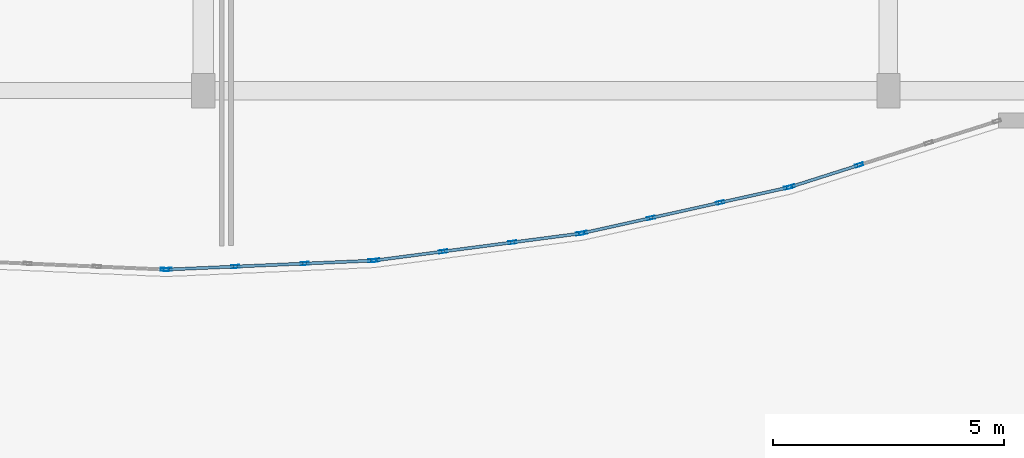
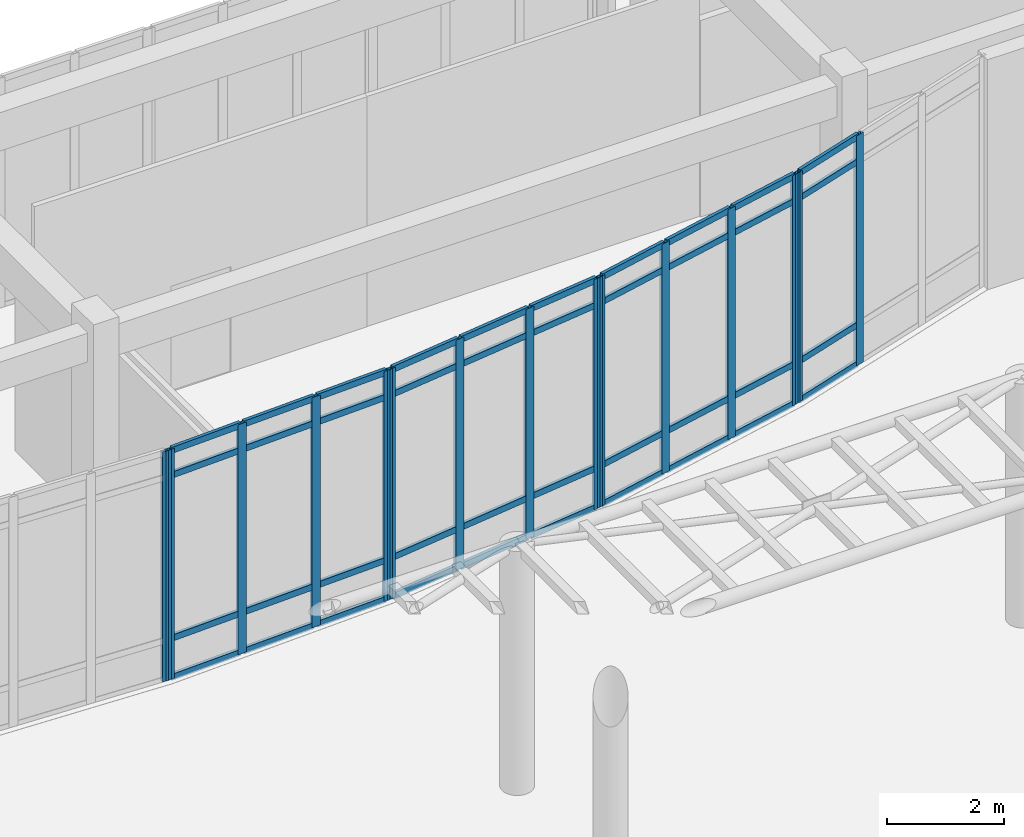
# One storey, part 57 of 121: 55 members, 5 elements without a shape of their own.
"""IFC4 building model written with IfcOpenShell, lengths in metres."""

from ifc_helpers import new_model, si_unit, direction, frame, origin, origin_2d, place, context, subcontext, project, spatial, hollow_rectangle, extrude, material, layer, layer_set, material_profile, profile_set, type_object, element, aggregate, save


model = new_model("IFC4")

# Units and contexts
model_context = context("Model", 3, precision=1e-05, world=origin(), true_north=direction((0.0, 1.0)))
body_context = subcontext(model_context, "Body", "Model", "MODEL_VIEW")
ifc_project = project(units=[si_unit("LENGTHUNIT", "METRE"), si_unit("AREAUNIT", "SQUARE_METRE"), si_unit("VOLUMEUNIT", "CUBIC_METRE"), si_unit("PLANEANGLEUNIT", "RADIAN"), si_unit("MASSUNIT", "GRAM", prefix="KILO")], contexts=[model_context])

# Site, building, storey
site_placement = place(None, origin())
site = spatial("IfcSite", under=ifc_project, at=site_placement, CompositionType="ELEMENT")
building_placement = place(site_placement, origin())
building = spatial("IfcBuilding", under=site, at=building_placement, Name="Valcora Specialist Clinic", CompositionType="ELEMENT")
storey_placement = place(building_placement, origin())
storey = spatial("IfcBuildingStorey", under=building, at=storey_placement, Name="L00", CompositionType="ELEMENT", Elevation=0.0)

# Curtain wall, members
ifc_material = material(Name="Anodized Bronze Aluminium 6063-T6", Category="aluminium")
ifc_layer = layer(ifc_material, 0.175048828125)
ifc_layer_set = layer_set([ifc_layer], Name="Anodized Bronze Aluminium 6063-T6")
curtain_wall_type = type_object("IfcCurtainWallType", Name="TY-CW-ARC51", PredefinedType="NOTDEFINED", material=ifc_layer_set)
curtain_wall_1_placement = place(storey_placement, origin())
curtain_wall_1 = element("IfcCurtainWall", 1, at=curtain_wall_1_placement, inside=storey, type_object=curtain_wall_type, Name="Curtain wall CW-L00-021", PredefinedType="NOTDEFINED")
ifc_material_profile_1 = material_profile(ifc_material, hollow_rectangle(XDim=0.06494140625, YDim=0.175048828125, WallThickness=0.00390625, at=origin_2d()), Name="AL-MUL-65X175")
ifc_profile_set_1 = profile_set([ifc_material_profile_1], Name="Anodized Bronze Aluminium 6063-T6")
member_type_1 = type_object("IfcMemberType", Name="TY-CWM-65X175", PredefinedType="MULLION", material=ifc_profile_set_1)
member_1_placement = place(storey_placement, frame((125.3662109375, 73.19189453125, 0.0), z_axis=(0.0, 0.0, 1.0), x_axis=(0.303233270958, -0.952916356972, 0.0)))
member_1 = element("IfcMember", 2, at=member_1_placement, type_object=member_type_1, Name="CW-ARC-51 mullion 3", PredefinedType="MULLION", context=body_context, shape_type="SweptSolid", body=[
    extrude(hollow_rectangle(XDim=0.06494140625, YDim=0.175048828125, WallThickness=0.00390625, at=origin_2d()), origin(), (0.0, 0.0, 1.0), 4.81005859375),
])
member_2_placement = place(storey_placement, frame((123.891845703125, 72.722900390625, 0.0), z_axis=(0.0, 0.0, 1.0), x_axis=(0.303233270958, -0.952916356972, 0.0)))
member_2 = element("IfcMember", 3, at=member_2_placement, type_object=member_type_1, Name="CW-ARC-51 mullion 4", PredefinedType="MULLION", context=body_context, shape_type="SweptSolid", body=[
    extrude(hollow_rectangle(XDim=0.06494140625, YDim=0.175048828125, WallThickness=0.00390625, at=origin_2d()), origin(), (0.0, 0.0, 1.0), 4.81005859375),
])

curtain_wall_2_placement = place(storey_placement, origin())
curtain_wall_2 = element("IfcCurtainWall", 4, at=curtain_wall_2_placement, inside=storey, type_object=curtain_wall_type, Name="Curtain wall CW-L00-022", PredefinedType="NOTDEFINED")
member_3_placement = place(storey_placement, frame((123.8291015625, 72.7060546875, 0.0), z_axis=(0.0, 0.0, 1.0), x_axis=(0.216518052372, -0.976278614432, 0.0)))
member_3 = element("IfcMember", 5, at=member_3_placement, type_object=member_type_1, Name="CW-ARC-51 mullion 1", PredefinedType="MULLION", context=body_context, shape_type="SweptSolid", body=[
    extrude(hollow_rectangle(XDim=0.06494140625, YDim=0.175048828125, WallThickness=0.00390625, at=origin_2d()), origin(), (0.0, 0.0, 1.0), 4.81005859375),
])
member_4_placement = place(storey_placement, frame((122.365234375, 72.38134765625, 0.0), z_axis=(0.0, 0.0, 1.0), x_axis=(0.216518052372, -0.976278614432, 0.0)))
member_4 = element("IfcMember", 6, at=member_4_placement, type_object=member_type_1, Name="CW-ARC-51 mullion 2", PredefinedType="MULLION", context=body_context, shape_type="SweptSolid", body=[
    extrude(hollow_rectangle(XDim=0.06494140625, YDim=0.175048828125, WallThickness=0.00390625, at=origin_2d()), origin(), (0.0, 0.0, 1.0), 4.81005859375),
])
member_5_placement = place(storey_placement, frame((120.86962890625, 72.049560546875, 0.0), z_axis=(0.0, 0.0, 1.0), x_axis=(0.216518052372, -0.976278614432, 0.0)))
member_5 = element("IfcMember", 7, at=member_5_placement, type_object=member_type_1, Name="CW-ARC-51 mullion 3", PredefinedType="MULLION", context=body_context, shape_type="SweptSolid", body=[
    extrude(hollow_rectangle(XDim=0.06494140625, YDim=0.175048828125, WallThickness=0.00390625, at=origin_2d()), origin(), (0.0, 0.0, 1.0), 4.81005859375),
])
member_6_placement = place(storey_placement, frame((119.40576171875, 71.724853515625, 0.0), z_axis=(0.0, 0.0, 1.0), x_axis=(0.216518052372, -0.976278614432, 0.0)))
member_6 = element("IfcMember", 8, at=member_6_placement, type_object=member_type_1, Name="CW-ARC-51 mullion 4", PredefinedType="MULLION", context=body_context, shape_type="SweptSolid", body=[
    extrude(hollow_rectangle(XDim=0.06494140625, YDim=0.175048828125, WallThickness=0.00390625, at=origin_2d()), origin(), (0.0, 0.0, 1.0), 4.81005859375),
])

curtain_wall_3_placement = place(storey_placement, origin())
curtain_wall_3 = element("IfcCurtainWall", 9, at=curtain_wall_3_placement, inside=storey, type_object=curtain_wall_type, Name="Curtain wall CW-L00-023", PredefinedType="NOTDEFINED")
member_7_placement = place(storey_placement, frame((119.341796875, 71.713623046875, 0.0), z_axis=(0.0, 0.0, 1.0), x_axis=(0.129999492259, -0.991514060421, 0.0)))
member_7 = element("IfcMember", 10, at=member_7_placement, type_object=member_type_1, Name="CW-ARC-51 mullion 1", PredefinedType="MULLION", context=body_context, shape_type="SweptSolid", body=[
    extrude(hollow_rectangle(XDim=0.06494140625, YDim=0.175048828125, WallThickness=0.00390625, at=origin_2d()), origin(), (0.0, 0.0, 1.0), 4.81005859375),
])
member_8_placement = place(storey_placement, frame((117.87841796875, 71.521728515625, 0.0), z_axis=(0.0, 0.0, 1.0), x_axis=(0.129999492259, -0.991514060421, 0.0)))
member_8 = element("IfcMember", 11, at=member_8_placement, type_object=member_type_1, Name="CW-ARC-51 mullion 2", PredefinedType="MULLION", context=body_context, shape_type="SweptSolid", body=[
    extrude(hollow_rectangle(XDim=0.06494140625, YDim=0.175048828125, WallThickness=0.00390625, at=origin_2d()), origin(), (0.0, 0.0, 1.0), 4.81005859375),
])
member_9_placement = place(storey_placement, frame((116.382568359375, 71.32568359375, 0.0), z_axis=(0.0, 0.0, 1.0), x_axis=(0.129999492259, -0.991514060421, 0.0)))
member_9 = element("IfcMember", 12, at=member_9_placement, type_object=member_type_1, Name="CW-ARC-51 mullion 3", PredefinedType="MULLION", context=body_context, shape_type="SweptSolid", body=[
    extrude(hollow_rectangle(XDim=0.06494140625, YDim=0.175048828125, WallThickness=0.00390625, at=origin_2d()), origin(), (0.0, 0.0, 1.0), 4.81005859375),
])
member_10_placement = place(storey_placement, frame((114.919189453125, 71.1337890625, 0.0), z_axis=(0.0, 0.0, 1.0), x_axis=(0.129999492259, -0.991514060421, 0.0)))
member_10 = element("IfcMember", 13, at=member_10_placement, type_object=member_type_1, Name="CW-ARC-51 mullion 4", PredefinedType="MULLION", context=body_context, shape_type="SweptSolid", body=[
    extrude(hollow_rectangle(XDim=0.06494140625, YDim=0.175048828125, WallThickness=0.00390625, at=origin_2d()), origin(), (0.0, 0.0, 1.0), 4.81005859375),
])

curtain_wall_4_placement = place(storey_placement, origin())
curtain_wall_4 = element("IfcCurtainWall", 14, at=curtain_wall_4_placement, inside=storey, type_object=curtain_wall_type, Name="Curtain wall CW-L00-024", PredefinedType="NOTDEFINED")
member_11_placement = place(storey_placement, frame((114.8544921875, 71.128173828125, 0.0), z_axis=(0.0, 0.0, 1.0), x_axis=(0.043306780525, -0.999061821291, 0.0)))
member_11 = element("IfcMember", 15, at=member_11_placement, type_object=member_type_1, Name="CW-ARC-51 mullion 1", PredefinedType="MULLION", context=body_context, shape_type="SweptSolid", body=[
    extrude(hollow_rectangle(XDim=0.06494140625, YDim=0.175048828125, WallThickness=0.00390625, at=origin_2d()), origin(), (0.0, 0.0, 1.0), 4.81005859375),
])
member_12_placement = place(storey_placement, frame((113.391357421875, 71.064697265625, 0.0), z_axis=(0.0, 0.0, 1.0), x_axis=(0.043306780525, -0.999061821291, 0.0)))
member_12 = element("IfcMember", 16, at=member_12_placement, type_object=member_type_1, Name="CW-ARC-51 mullion 2", PredefinedType="MULLION", context=body_context, shape_type="SweptSolid", body=[
    extrude(hollow_rectangle(XDim=0.06494140625, YDim=0.175048828125, WallThickness=0.00390625, at=origin_2d()), origin(), (0.0, 0.0, 1.0), 4.81005859375),
])
member_13_placement = place(storey_placement, frame((111.895751953125, 71.0, 0.0), z_axis=(0.0, 0.0, 1.0), x_axis=(0.043306780525, -0.999061821291, 0.0)))
member_13 = element("IfcMember", 17, at=member_13_placement, type_object=member_type_1, Name="CW-ARC-51 mullion 3", PredefinedType="MULLION", context=body_context, shape_type="SweptSolid", body=[
    extrude(hollow_rectangle(XDim=0.06494140625, YDim=0.175048828125, WallThickness=0.00390625, at=origin_2d()), origin(), (0.0, 0.0, 1.0), 4.81005859375),
])
member_14_placement = place(storey_placement, frame((110.432373046875, 70.9365234375, 0.0), z_axis=(0.0, 0.0, 1.0), x_axis=(0.043306780525, -0.999061821291, 0.0)))
member_14 = element("IfcMember", 18, at=member_14_placement, type_object=member_type_1, Name="CW-ARC-51 mullion 4", PredefinedType="MULLION", context=body_context, shape_type="SweptSolid", body=[
    extrude(hollow_rectangle(XDim=0.06494140625, YDim=0.175048828125, WallThickness=0.00390625, at=origin_2d()), origin(), (0.0, 0.0, 1.0), 4.81005859375),
])

# Curtain wall, member
curtain_wall_5_placement = place(storey_placement, origin())
curtain_wall_5 = element("IfcCurtainWall", 19, at=curtain_wall_5_placement, inside=storey, type_object=curtain_wall_type, Name="Curtain wall CW-L00-025", PredefinedType="NOTDEFINED")
member_15_placement = place(storey_placement, frame((110.367431640625, 70.9365234375, 0.0), z_axis=(0.0, 0.0, 1.0), x_axis=(-0.043306780525, -0.999061821291, 0.0)))
member_15 = element("IfcMember", 20, at=member_15_placement, type_object=member_type_1, Name="CW-ARC-51 mullion 1", PredefinedType="MULLION", context=body_context, shape_type="SweptSolid", body=[
    extrude(hollow_rectangle(XDim=0.06494140625, YDim=0.175048828125, WallThickness=0.00390625, at=origin_2d()), origin(), (0.0, 0.0, 1.0), 4.81005859375),
])
aggregate(curtain_wall_5, [member_15])

# Member
ifc_material_profile_2 = material_profile(ifc_material, hollow_rectangle(XDim=0.06494140625, YDim=0.1298828125, WallThickness=0.00390625, at=origin_2d()), Name="AL-TRN-65X130")
ifc_profile_set_2 = profile_set([ifc_material_profile_2], Name="Anodized Bronze Aluminium 6063-T6")
member_type_2 = type_object("IfcMemberType", Name="TY-CWT-65X130", PredefinedType="USERDEFINED", material=ifc_profile_set_2)
member_16_placement = place(storey_placement, frame((125.335205078125, 73.18212890625, 0.032470703125), z_axis=(-0.952910635624, -0.303251249816, 0.0), x_axis=(0.303251249816, -0.952910635624, 0.0)))
member_16 = element("IfcMember", 21, at=member_16_placement, type_object=member_type_2, Name="CW-ARC-51 transom 3.1", ObjectType="TRANSOM", PredefinedType="USERDEFINED", context=body_context, shape_type="SweptSolid", body=[
    extrude(hollow_rectangle(XDim=0.06494140625, YDim=0.1298828125, WallThickness=0.00390625, at=origin_2d()), origin(), (0.0, 0.0, 1.0), 1.482177734375),
])

member_17_placement = place(storey_placement, frame((125.335205078125, 73.18212890625, 0.85009765625), z_axis=(-0.952910635624, -0.303251249816, 0.0), x_axis=(0.303251249816, -0.952910635624, 0.0)))
member_17 = element("IfcMember", 22, at=member_17_placement, type_object=member_type_2, Name="CW-ARC-51 transom 3.2", ObjectType="TRANSOM", PredefinedType="USERDEFINED", context=body_context, shape_type="SweptSolid", body=[
    extrude(hollow_rectangle(XDim=0.06494140625, YDim=0.1298828125, WallThickness=0.00390625, at=origin_2d()), origin(), (0.0, 0.0, 1.0), 1.482177734375),
])

member_18_placement = place(storey_placement, frame((125.335205078125, 73.18212890625, 4.260009765625), z_axis=(-0.952910635624, -0.303251249816, 0.0), x_axis=(0.303251249816, -0.952910635624, 0.0)))
member_18 = element("IfcMember", 23, at=member_18_placement, type_object=member_type_2, Name="CW-ARC-51 transom 3.3", ObjectType="TRANSOM", PredefinedType="USERDEFINED", context=body_context, shape_type="SweptSolid", body=[
    extrude(hollow_rectangle(XDim=0.06494140625, YDim=0.1298828125, WallThickness=0.00390625, at=origin_2d()), origin(), (0.0, 0.0, 1.0), 1.482177734375),
])

member_19_placement = place(storey_placement, frame((125.335205078125, 73.18212890625, 4.777587890625), z_axis=(-0.952910635624, -0.303251249816, 0.0), x_axis=(0.303251249816, -0.952910635624, 0.0)))
member_19 = element("IfcMember", 24, at=member_19_placement, type_object=member_type_2, Name="CW-ARC-51 transom 3.4", ObjectType="TRANSOM", PredefinedType="USERDEFINED", context=body_context, shape_type="SweptSolid", body=[
    extrude(hollow_rectangle(XDim=0.06494140625, YDim=0.1298828125, WallThickness=0.00390625, at=origin_2d()), origin(), (0.0, 0.0, 1.0), 1.482177734375),
])

aggregate(curtain_wall_1, [member_1, member_2, member_16, member_17, member_18, member_19])

member_20_placement = place(storey_placement, frame((123.79736328125, 72.698974609375, 0.032470703125), z_axis=(-0.976283078872, -0.216497921256, 0.0), x_axis=(0.216497921256, -0.976283078872, 0.0)))
member_20 = element("IfcMember", 25, at=member_20_placement, type_object=member_type_2, Name="CW-ARC-51 transom 1.1", ObjectType="TRANSOM", PredefinedType="USERDEFINED", context=body_context, shape_type="SweptSolid", body=[
    extrude(hollow_rectangle(XDim=0.06494140625, YDim=0.1298828125, WallThickness=0.00390625, at=origin_2d()), origin(), (0.0, 0.0, 1.0), 1.434326171875),
])

member_21_placement = place(storey_placement, frame((123.79736328125, 72.698974609375, 0.85009765625), z_axis=(-0.976283078872, -0.216497921256, 0.0), x_axis=(0.216497921256, -0.976283078872, 0.0)))
member_21 = element("IfcMember", 26, at=member_21_placement, type_object=member_type_2, Name="CW-ARC-51 transom 1.2", ObjectType="TRANSOM", PredefinedType="USERDEFINED", context=body_context, shape_type="SweptSolid", body=[
    extrude(hollow_rectangle(XDim=0.06494140625, YDim=0.1298828125, WallThickness=0.00390625, at=origin_2d()), origin(), (0.0, 0.0, 1.0), 1.434326171875),
])

member_22_placement = place(storey_placement, frame((123.79736328125, 72.698974609375, 4.260009765625), z_axis=(-0.976283078872, -0.216497921256, 0.0), x_axis=(0.216497921256, -0.976283078872, 0.0)))
member_22 = element("IfcMember", 27, at=member_22_placement, type_object=member_type_2, Name="CW-ARC-51 transom 1.3", ObjectType="TRANSOM", PredefinedType="USERDEFINED", context=body_context, shape_type="SweptSolid", body=[
    extrude(hollow_rectangle(XDim=0.06494140625, YDim=0.1298828125, WallThickness=0.00390625, at=origin_2d()), origin(), (0.0, 0.0, 1.0), 1.434326171875),
])

member_23_placement = place(storey_placement, frame((123.79736328125, 72.698974609375, 4.777587890625), z_axis=(-0.976283078872, -0.216497921256, 0.0), x_axis=(0.216497921256, -0.976283078872, 0.0)))
member_23 = element("IfcMember", 28, at=member_23_placement, type_object=member_type_2, Name="CW-ARC-51 transom 1.4", ObjectType="TRANSOM", PredefinedType="USERDEFINED", context=body_context, shape_type="SweptSolid", body=[
    extrude(hollow_rectangle(XDim=0.06494140625, YDim=0.1298828125, WallThickness=0.00390625, at=origin_2d()), origin(), (0.0, 0.0, 1.0), 1.434326171875),
])

member_24_placement = place(storey_placement, frame((122.33349609375, 72.374267578125, 0.032470703125), z_axis=(-0.976277043921, -0.216525133676, 0.0), x_axis=(0.216525133676, -0.976277043921, 0.0)))
member_24 = element("IfcMember", 29, at=member_24_placement, type_object=member_type_2, Name="CW-ARC-51 transom 2.1", ObjectType="TRANSOM", PredefinedType="USERDEFINED", context=body_context, shape_type="SweptSolid", body=[
    extrude(hollow_rectangle(XDim=0.06494140625, YDim=0.1298828125, WallThickness=0.00390625, at=origin_2d()), origin(), (0.0, 0.0, 1.0), 1.467041015625),
])

member_25_placement = place(storey_placement, frame((122.33349609375, 72.374267578125, 0.85009765625), z_axis=(-0.976277043921, -0.216525133676, 0.0), x_axis=(0.216525133676, -0.976277043921, 0.0)))
member_25 = element("IfcMember", 30, at=member_25_placement, type_object=member_type_2, Name="CW-ARC-51 transom 2.2", ObjectType="TRANSOM", PredefinedType="USERDEFINED", context=body_context, shape_type="SweptSolid", body=[
    extrude(hollow_rectangle(XDim=0.06494140625, YDim=0.1298828125, WallThickness=0.00390625, at=origin_2d()), origin(), (0.0, 0.0, 1.0), 1.467041015625),
])

member_26_placement = place(storey_placement, frame((122.33349609375, 72.374267578125, 4.260009765625), z_axis=(-0.976277043921, -0.216525133676, 0.0), x_axis=(0.216525133676, -0.976277043921, 0.0)))
member_26 = element("IfcMember", 31, at=member_26_placement, type_object=member_type_2, Name="CW-ARC-51 transom 2.3", ObjectType="TRANSOM", PredefinedType="USERDEFINED", context=body_context, shape_type="SweptSolid", body=[
    extrude(hollow_rectangle(XDim=0.06494140625, YDim=0.1298828125, WallThickness=0.00390625, at=origin_2d()), origin(), (0.0, 0.0, 1.0), 1.467041015625),
])

member_27_placement = place(storey_placement, frame((122.33349609375, 72.374267578125, 4.777587890625), z_axis=(-0.976277043921, -0.216525133676, 0.0), x_axis=(0.216525133676, -0.976277043921, 0.0)))
member_27 = element("IfcMember", 32, at=member_27_placement, type_object=member_type_2, Name="CW-ARC-51 transom 2.4", ObjectType="TRANSOM", PredefinedType="USERDEFINED", context=body_context, shape_type="SweptSolid", body=[
    extrude(hollow_rectangle(XDim=0.06494140625, YDim=0.1298828125, WallThickness=0.00390625, at=origin_2d()), origin(), (0.0, 0.0, 1.0), 1.467041015625),
])

member_28_placement = place(storey_placement, frame((120.837890625, 72.04248046875, 0.032470703125), z_axis=(-0.976283078872, -0.216497921256, 0.0), x_axis=(0.216497921256, -0.976283078872, 0.0)))
member_28 = element("IfcMember", 33, at=member_28_placement, type_object=member_type_2, Name="CW-ARC-51 transom 3.1", ObjectType="TRANSOM", PredefinedType="USERDEFINED", context=body_context, shape_type="SweptSolid", body=[
    extrude(hollow_rectangle(XDim=0.06494140625, YDim=0.1298828125, WallThickness=0.00390625, at=origin_2d()), origin(), (0.0, 0.0, 1.0), 1.434326171875),
])

member_29_placement = place(storey_placement, frame((120.837890625, 72.04248046875, 0.85009765625), z_axis=(-0.976283078872, -0.216497921256, 0.0), x_axis=(0.216497921256, -0.976283078872, 0.0)))
member_29 = element("IfcMember", 34, at=member_29_placement, type_object=member_type_2, Name="CW-ARC-51 transom 3.2", ObjectType="TRANSOM", PredefinedType="USERDEFINED", context=body_context, shape_type="SweptSolid", body=[
    extrude(hollow_rectangle(XDim=0.06494140625, YDim=0.1298828125, WallThickness=0.00390625, at=origin_2d()), origin(), (0.0, 0.0, 1.0), 1.434326171875),
])

member_30_placement = place(storey_placement, frame((120.837890625, 72.04248046875, 4.260009765625), z_axis=(-0.976283078872, -0.216497921256, 0.0), x_axis=(0.216497921256, -0.976283078872, 0.0)))
member_30 = element("IfcMember", 35, at=member_30_placement, type_object=member_type_2, Name="CW-ARC-51 transom 3.3", ObjectType="TRANSOM", PredefinedType="USERDEFINED", context=body_context, shape_type="SweptSolid", body=[
    extrude(hollow_rectangle(XDim=0.06494140625, YDim=0.1298828125, WallThickness=0.00390625, at=origin_2d()), origin(), (0.0, 0.0, 1.0), 1.434326171875),
])

member_31_placement = place(storey_placement, frame((120.837890625, 72.04248046875, 4.777587890625), z_axis=(-0.976283078872, -0.216497921256, 0.0), x_axis=(0.216497921256, -0.976283078872, 0.0)))
member_31 = element("IfcMember", 36, at=member_31_placement, type_object=member_type_2, Name="CW-ARC-51 transom 3.4", ObjectType="TRANSOM", PredefinedType="USERDEFINED", context=body_context, shape_type="SweptSolid", body=[
    extrude(hollow_rectangle(XDim=0.06494140625, YDim=0.1298828125, WallThickness=0.00390625, at=origin_2d()), origin(), (0.0, 0.0, 1.0), 1.434326171875),
])

aggregate(curtain_wall_2, [member_3, member_4, member_5, member_6, member_20, member_21, member_22, member_23, member_24, member_25, member_26, member_27, member_28, member_29, member_30, member_31])

member_32_placement = place(storey_placement, frame((119.3095703125, 71.70947265625, 0.032470703125), z_axis=(-0.991520133728, -0.129953162379, 0.0), x_axis=(0.129953162379, -0.991520133728, 0.0)))
member_32 = element("IfcMember", 37, at=member_32_placement, type_object=member_type_2, Name="CW-ARC-51 transom 1.1", ObjectType="TRANSOM", PredefinedType="USERDEFINED", context=body_context, shape_type="SweptSolid", body=[
    extrude(hollow_rectangle(XDim=0.06494140625, YDim=0.1298828125, WallThickness=0.00390625, at=origin_2d()), origin(), (0.0, 0.0, 1.0), 1.410888671875),
])

member_33_placement = place(storey_placement, frame((119.3095703125, 71.70947265625, 0.85009765625), z_axis=(-0.991520133728, -0.129953162379, 0.0), x_axis=(0.129953162379, -0.991520133728, 0.0)))
member_33 = element("IfcMember", 38, at=member_33_placement, type_object=member_type_2, Name="CW-ARC-51 transom 1.2", ObjectType="TRANSOM", PredefinedType="USERDEFINED", context=body_context, shape_type="SweptSolid", body=[
    extrude(hollow_rectangle(XDim=0.06494140625, YDim=0.1298828125, WallThickness=0.00390625, at=origin_2d()), origin(), (0.0, 0.0, 1.0), 1.410888671875),
])

member_34_placement = place(storey_placement, frame((119.3095703125, 71.70947265625, 4.260009765625), z_axis=(-0.991520133728, -0.129953162379, 0.0), x_axis=(0.129953162379, -0.991520133728, 0.0)))
member_34 = element("IfcMember", 39, at=member_34_placement, type_object=member_type_2, Name="CW-ARC-51 transom 1.3", ObjectType="TRANSOM", PredefinedType="USERDEFINED", context=body_context, shape_type="SweptSolid", body=[
    extrude(hollow_rectangle(XDim=0.06494140625, YDim=0.1298828125, WallThickness=0.00390625, at=origin_2d()), origin(), (0.0, 0.0, 1.0), 1.410888671875),
])

member_35_placement = place(storey_placement, frame((119.3095703125, 71.70947265625, 4.777587890625), z_axis=(-0.991520133728, -0.129953162379, 0.0), x_axis=(0.129953162379, -0.991520133728, 0.0)))
member_35 = element("IfcMember", 40, at=member_35_placement, type_object=member_type_2, Name="CW-ARC-51 transom 1.4", ObjectType="TRANSOM", PredefinedType="USERDEFINED", context=body_context, shape_type="SweptSolid", body=[
    extrude(hollow_rectangle(XDim=0.06494140625, YDim=0.1298828125, WallThickness=0.00390625, at=origin_2d()), origin(), (0.0, 0.0, 1.0), 1.410888671875),
])

member_36_placement = place(storey_placement, frame((117.84619140625, 71.517578125, 0.032470703125), z_axis=(-0.991507743319, -0.130047664099, 0.0), x_axis=(0.130047664099, -0.991507743319, 0.0)))
member_36 = element("IfcMember", 41, at=member_36_placement, type_object=member_type_2, Name="CW-ARC-51 transom 2.1", ObjectType="TRANSOM", PredefinedType="USERDEFINED", context=body_context, shape_type="SweptSolid", body=[
    extrude(hollow_rectangle(XDim=0.06494140625, YDim=0.1298828125, WallThickness=0.00390625, at=origin_2d()), origin(), (0.0, 0.0, 1.0), 1.443603515625),
])

member_37_placement = place(storey_placement, frame((117.84619140625, 71.517578125, 0.85009765625), z_axis=(-0.991507743319, -0.130047664099, 0.0), x_axis=(0.130047664099, -0.991507743319, 0.0)))
member_37 = element("IfcMember", 42, at=member_37_placement, type_object=member_type_2, Name="CW-ARC-51 transom 2.2", ObjectType="TRANSOM", PredefinedType="USERDEFINED", context=body_context, shape_type="SweptSolid", body=[
    extrude(hollow_rectangle(XDim=0.06494140625, YDim=0.1298828125, WallThickness=0.00390625, at=origin_2d()), origin(), (0.0, 0.0, 1.0), 1.443603515625),
])

member_38_placement = place(storey_placement, frame((117.84619140625, 71.517578125, 4.260009765625), z_axis=(-0.991507743319, -0.130047664099, 0.0), x_axis=(0.130047664099, -0.991507743319, 0.0)))
member_38 = element("IfcMember", 43, at=member_38_placement, type_object=member_type_2, Name="CW-ARC-51 transom 2.3", ObjectType="TRANSOM", PredefinedType="USERDEFINED", context=body_context, shape_type="SweptSolid", body=[
    extrude(hollow_rectangle(XDim=0.06494140625, YDim=0.1298828125, WallThickness=0.00390625, at=origin_2d()), origin(), (0.0, 0.0, 1.0), 1.443603515625),
])

member_39_placement = place(storey_placement, frame((117.84619140625, 71.517578125, 4.777587890625), z_axis=(-0.991507743319, -0.130047664099, 0.0), x_axis=(0.130047664099, -0.991507743319, 0.0)))
member_39 = element("IfcMember", 44, at=member_39_placement, type_object=member_type_2, Name="CW-ARC-51 transom 2.4", ObjectType="TRANSOM", PredefinedType="USERDEFINED", context=body_context, shape_type="SweptSolid", body=[
    extrude(hollow_rectangle(XDim=0.06494140625, YDim=0.1298828125, WallThickness=0.00390625, at=origin_2d()), origin(), (0.0, 0.0, 1.0), 1.443603515625),
])

member_40_placement = place(storey_placement, frame((116.350341796875, 71.321533203125, 0.032470703125), z_axis=(-0.991497823208, -0.130123274529, 0.0), x_axis=(0.130123274529, -0.991497823208, 0.0)))
member_40 = element("IfcMember", 45, at=member_40_placement, type_object=member_type_2, Name="CW-ARC-51 transom 3.1", ObjectType="TRANSOM", PredefinedType="USERDEFINED", context=body_context, shape_type="SweptSolid", body=[
    extrude(hollow_rectangle(XDim=0.06494140625, YDim=0.1298828125, WallThickness=0.00390625, at=origin_2d()), origin(), (0.0, 0.0, 1.0), 1.410888671875),
])

member_41_placement = place(storey_placement, frame((116.350341796875, 71.321533203125, 0.85009765625), z_axis=(-0.991497823208, -0.130123274529, 0.0), x_axis=(0.130123274529, -0.991497823208, 0.0)))
member_41 = element("IfcMember", 46, at=member_41_placement, type_object=member_type_2, Name="CW-ARC-51 transom 3.2", ObjectType="TRANSOM", PredefinedType="USERDEFINED", context=body_context, shape_type="SweptSolid", body=[
    extrude(hollow_rectangle(XDim=0.06494140625, YDim=0.1298828125, WallThickness=0.00390625, at=origin_2d()), origin(), (0.0, 0.0, 1.0), 1.410888671875),
])

member_42_placement = place(storey_placement, frame((116.350341796875, 71.321533203125, 4.260009765625), z_axis=(-0.991497823208, -0.130123274529, 0.0), x_axis=(0.130123274529, -0.991497823208, 0.0)))
member_42 = element("IfcMember", 47, at=member_42_placement, type_object=member_type_2, Name="CW-ARC-51 transom 3.3", ObjectType="TRANSOM", PredefinedType="USERDEFINED", context=body_context, shape_type="SweptSolid", body=[
    extrude(hollow_rectangle(XDim=0.06494140625, YDim=0.1298828125, WallThickness=0.00390625, at=origin_2d()), origin(), (0.0, 0.0, 1.0), 1.410888671875),
])

member_43_placement = place(storey_placement, frame((116.350341796875, 71.321533203125, 4.777587890625), z_axis=(-0.991497823208, -0.130123274529, 0.0), x_axis=(0.130123274529, -0.991497823208, 0.0)))
member_43 = element("IfcMember", 48, at=member_43_placement, type_object=member_type_2, Name="CW-ARC-51 transom 3.4", ObjectType="TRANSOM", PredefinedType="USERDEFINED", context=body_context, shape_type="SweptSolid", body=[
    extrude(hollow_rectangle(XDim=0.06494140625, YDim=0.1298828125, WallThickness=0.00390625, at=origin_2d()), origin(), (0.0, 0.0, 1.0), 1.410888671875),
])

aggregate(curtain_wall_3, [member_7, member_8, member_9, member_10, member_32, member_33, member_34, member_35, member_36, member_37, member_38, member_39, member_40, member_41, member_42, member_43])

member_44_placement = place(storey_placement, frame((114.822021484375, 71.126708984375, 0.032470703125), z_axis=(-0.999063713567, -0.043263104761, 0.0), x_axis=(0.043263104761, -0.999063713567, 0.0)))
member_44 = element("IfcMember", 49, at=member_44_placement, type_object=member_type_2, Name="CW-ARC-51 transom 1.1", ObjectType="TRANSOM", PredefinedType="USERDEFINED", context=body_context, shape_type="SweptSolid", body=[
    extrude(hollow_rectangle(XDim=0.06494140625, YDim=0.1298828125, WallThickness=0.00390625, at=origin_2d()), origin(), (0.0, 0.0, 1.0), 1.3994140625),
])

member_45_placement = place(storey_placement, frame((114.822021484375, 71.126708984375, 0.85009765625), z_axis=(-0.999063713567, -0.043263104761, 0.0), x_axis=(0.043263104761, -0.999063713567, 0.0)))
member_45 = element("IfcMember", 50, at=member_45_placement, type_object=member_type_2, Name="CW-ARC-51 transom 1.2", ObjectType="TRANSOM", PredefinedType="USERDEFINED", context=body_context, shape_type="SweptSolid", body=[
    extrude(hollow_rectangle(XDim=0.06494140625, YDim=0.1298828125, WallThickness=0.00390625, at=origin_2d()), origin(), (0.0, 0.0, 1.0), 1.3994140625),
])

member_46_placement = place(storey_placement, frame((114.822021484375, 71.126708984375, 4.260009765625), z_axis=(-0.999063713567, -0.043263104761, 0.0), x_axis=(0.043263104761, -0.999063713567, 0.0)))
member_46 = element("IfcMember", 51, at=member_46_placement, type_object=member_type_2, Name="CW-ARC-51 transom 1.3", ObjectType="TRANSOM", PredefinedType="USERDEFINED", context=body_context, shape_type="SweptSolid", body=[
    extrude(hollow_rectangle(XDim=0.06494140625, YDim=0.1298828125, WallThickness=0.00390625, at=origin_2d()), origin(), (0.0, 0.0, 1.0), 1.3994140625),
])

member_47_placement = place(storey_placement, frame((114.822021484375, 71.126708984375, 4.777587890625), z_axis=(-0.999063713567, -0.043263104761, 0.0), x_axis=(0.043263104761, -0.999063713567, 0.0)))
member_47 = element("IfcMember", 52, at=member_47_placement, type_object=member_type_2, Name="CW-ARC-51 transom 1.4", ObjectType="TRANSOM", PredefinedType="USERDEFINED", context=body_context, shape_type="SweptSolid", body=[
    extrude(hollow_rectangle(XDim=0.06494140625, YDim=0.1298828125, WallThickness=0.00390625, at=origin_2d()), origin(), (0.0, 0.0, 1.0), 1.3994140625),
])

member_48_placement = place(storey_placement, frame((113.35888671875, 71.0634765625, 0.032470703125), z_axis=(-0.999054549301, -0.043474216736, 0.0), x_axis=(0.043474216736, -0.999054549301, 0.0)))
member_48 = element("IfcMember", 53, at=member_48_placement, type_object=member_type_2, Name="CW-ARC-51 transom 2.1", ObjectType="TRANSOM", PredefinedType="USERDEFINED", context=body_context, shape_type="SweptSolid", body=[
    extrude(hollow_rectangle(XDim=0.06494140625, YDim=0.1298828125, WallThickness=0.00390625, at=origin_2d()), origin(), (0.0, 0.0, 1.0), 1.43212890625),
])

member_49_placement = place(storey_placement, frame((113.35888671875, 71.0634765625, 0.85009765625), z_axis=(-0.999054549301, -0.043474216736, 0.0), x_axis=(0.043474216736, -0.999054549301, 0.0)))
member_49 = element("IfcMember", 54, at=member_49_placement, type_object=member_type_2, Name="CW-ARC-51 transom 2.2", ObjectType="TRANSOM", PredefinedType="USERDEFINED", context=body_context, shape_type="SweptSolid", body=[
    extrude(hollow_rectangle(XDim=0.06494140625, YDim=0.1298828125, WallThickness=0.00390625, at=origin_2d()), origin(), (0.0, 0.0, 1.0), 1.43212890625),
])

member_50_placement = place(storey_placement, frame((113.35888671875, 71.0634765625, 4.260009765625), z_axis=(-0.999054549301, -0.043474216736, 0.0), x_axis=(0.043474216736, -0.999054549301, 0.0)))
member_50 = element("IfcMember", 55, at=member_50_placement, type_object=member_type_2, Name="CW-ARC-51 transom 2.3", ObjectType="TRANSOM", PredefinedType="USERDEFINED", context=body_context, shape_type="SweptSolid", body=[
    extrude(hollow_rectangle(XDim=0.06494140625, YDim=0.1298828125, WallThickness=0.00390625, at=origin_2d()), origin(), (0.0, 0.0, 1.0), 1.43212890625),
])

member_51_placement = place(storey_placement, frame((113.35888671875, 71.0634765625, 4.777587890625), z_axis=(-0.999054549301, -0.043474216736, 0.0), x_axis=(0.043474216736, -0.999054549301, 0.0)))
member_51 = element("IfcMember", 56, at=member_51_placement, type_object=member_type_2, Name="CW-ARC-51 transom 2.4", ObjectType="TRANSOM", PredefinedType="USERDEFINED", context=body_context, shape_type="SweptSolid", body=[
    extrude(hollow_rectangle(XDim=0.06494140625, YDim=0.1298828125, WallThickness=0.00390625, at=origin_2d()), origin(), (0.0, 0.0, 1.0), 1.43212890625),
])

member_52_placement = place(storey_placement, frame((111.86328125, 70.99853515625, 0.032470703125), z_axis=(-0.999064039995, -0.043255565977, 0.0), x_axis=(0.043255565977, -0.999064039995, 0.0)))
member_52 = element("IfcMember", 57, at=member_52_placement, type_object=member_type_2, Name="CW-ARC-51 transom 3.1", ObjectType="TRANSOM", PredefinedType="USERDEFINED", context=body_context, shape_type="SweptSolid", body=[
    extrude(hollow_rectangle(XDim=0.06494140625, YDim=0.1298828125, WallThickness=0.00390625, at=origin_2d()), origin(), (0.0, 0.0, 1.0), 1.399658203125),
])

member_53_placement = place(storey_placement, frame((111.86328125, 70.99853515625, 0.85009765625), z_axis=(-0.999064039995, -0.043255565977, 0.0), x_axis=(0.043255565977, -0.999064039995, 0.0)))
member_53 = element("IfcMember", 58, at=member_53_placement, type_object=member_type_2, Name="CW-ARC-51 transom 3.2", ObjectType="TRANSOM", PredefinedType="USERDEFINED", context=body_context, shape_type="SweptSolid", body=[
    extrude(hollow_rectangle(XDim=0.06494140625, YDim=0.1298828125, WallThickness=0.00390625, at=origin_2d()), origin(), (0.0, 0.0, 1.0), 1.399658203125),
])

member_54_placement = place(storey_placement, frame((111.86328125, 70.99853515625, 4.260009765625), z_axis=(-0.999064039995, -0.043255565977, 0.0), x_axis=(0.043255565977, -0.999064039995, 0.0)))
member_54 = element("IfcMember", 59, at=member_54_placement, type_object=member_type_2, Name="CW-ARC-51 transom 3.3", ObjectType="TRANSOM", PredefinedType="USERDEFINED", context=body_context, shape_type="SweptSolid", body=[
    extrude(hollow_rectangle(XDim=0.06494140625, YDim=0.1298828125, WallThickness=0.00390625, at=origin_2d()), origin(), (0.0, 0.0, 1.0), 1.399658203125),
])

member_55_placement = place(storey_placement, frame((111.86328125, 70.99853515625, 4.777587890625), z_axis=(-0.999064039995, -0.043255565977, 0.0), x_axis=(0.043255565977, -0.999064039995, 0.0)))
member_55 = element("IfcMember", 60, at=member_55_placement, type_object=member_type_2, Name="CW-ARC-51 transom 3.4", ObjectType="TRANSOM", PredefinedType="USERDEFINED", context=body_context, shape_type="SweptSolid", body=[
    extrude(hollow_rectangle(XDim=0.06494140625, YDim=0.1298828125, WallThickness=0.00390625, at=origin_2d()), origin(), (0.0, 0.0, 1.0), 1.399658203125),
])

aggregate(curtain_wall_4, [member_11, member_12, member_13, member_14, member_44, member_45, member_46, member_47, member_48, member_49, member_50, member_51, member_52, member_53, member_54, member_55])

save(model, "model.ifc")
